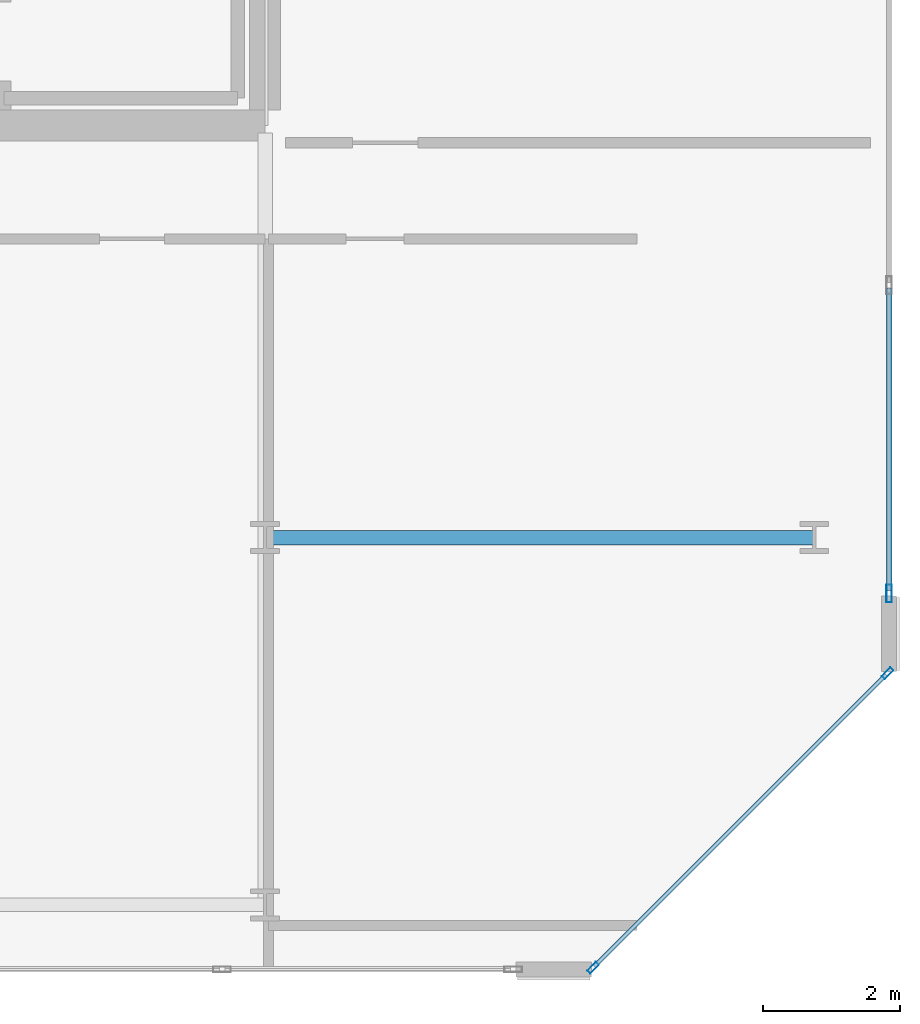
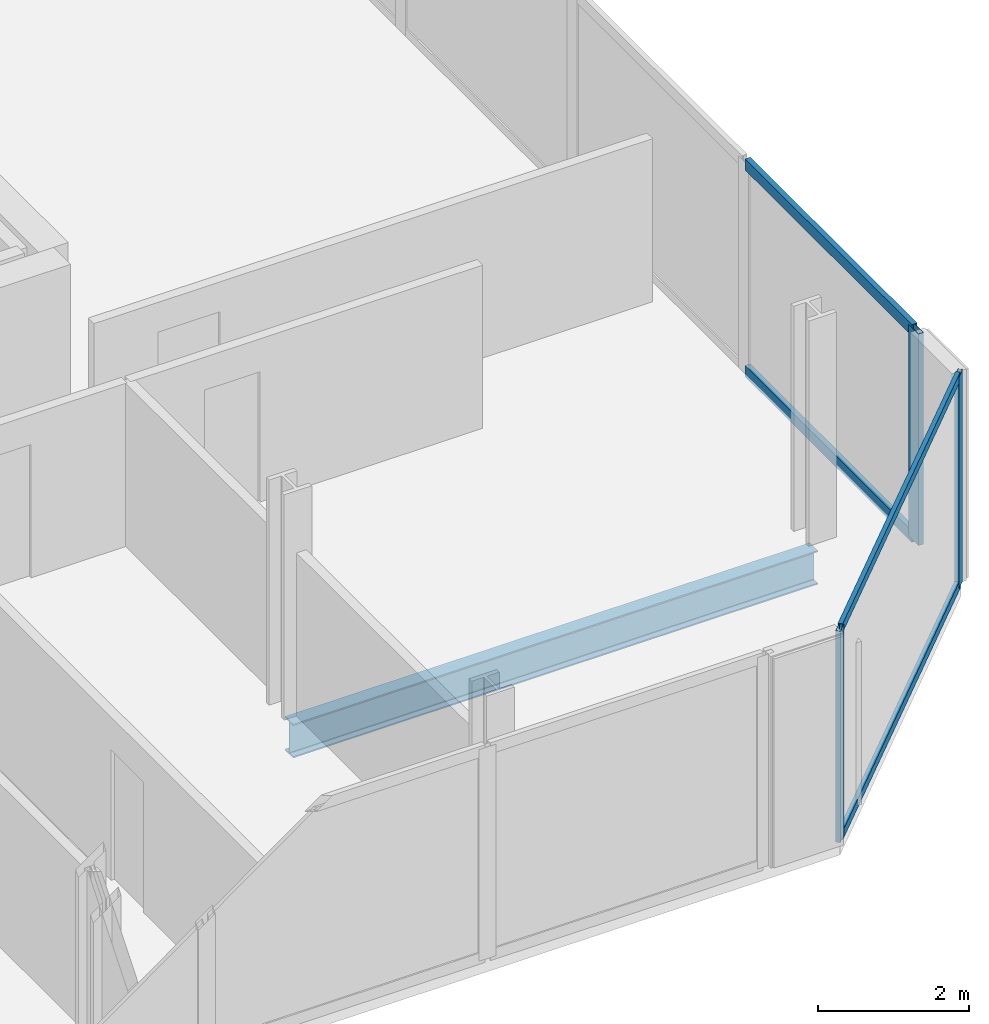
# One storey, part 7 of 17: 7 members, 1 beam, 2 elements without a shape of their own.
"""IFC4 building model written with IfcOpenShell, lengths in metres."""

from ifc_helpers import new_model, si_unit, direction, frame, origin, origin_2d, place, context, subcontext, project, spatial, hollow_rectangle, i_section, extrude, material, layer, layer_set, material_profile, profile_set, type_object, element, aggregate, save


model = new_model("IFC4")

# Units and contexts
model_context = context("Model", 3, precision=1e-05, world=origin(), true_north=direction((0.0, 1.0)))
body_context = subcontext(model_context, "Body", "Model", "MODEL_VIEW")
ifc_project = project(units=[si_unit("LENGTHUNIT", "METRE"), si_unit("AREAUNIT", "SQUARE_METRE"), si_unit("VOLUMEUNIT", "CUBIC_METRE"), si_unit("PLANEANGLEUNIT", "RADIAN"), si_unit("MASSUNIT", "GRAM", prefix="KILO")], contexts=[model_context])

# Site, building, storey
site_placement = place(None, origin())
site = spatial("IfcSite", under=ifc_project, at=site_placement, CompositionType="ELEMENT")
building_placement = place(site_placement, origin())
building = spatial("IfcBuilding", under=site, at=building_placement, Name="Tanjung Sevakor Pilgrim Tower", CompositionType="ELEMENT")
storey_placement = place(building_placement, frame((0.0, 0.0, 267.9599609375)))
storey = spatial("IfcBuildingStorey", under=building, at=storey_placement, Name="L75", CompositionType="ELEMENT", Elevation=267.9599609375)

# Beam
ifc_material_1 = material(Name="Steel S355J2", Category="steel")
ifc_material_profile_1 = material_profile(ifc_material_1, i_section(OverallWidth=0.2119140625, OverallDepth=0.54443359375, WebThickness=0.0126953125, FlangeThickness=0.021240234375, FilletRadius=0.0126953125, at=origin_2d()))
ifc_profile_set_1 = profile_set([ifc_material_profile_1], Name="Steel S355J2")
beam_type = type_object("IfcBeamType", Name="BM-B-G5-UB_533x210x122", PredefinedType="BEAM", material=ifc_profile_set_1)
beam_placement = place(storey_placement, frame((90.0, 18.60009765625, -0.4921875), z_axis=(1.0, 0.0, 0.0), x_axis=(0.0, 1.0, 0.0)))
element("IfcBeam", 1, at=beam_placement, inside=storey, type_object=beam_type, Name="L75 East Peak Wing Girder Y18.6", PredefinedType="BEAM", context=body_context, shape_type="SweptSolid", body=[
    extrude(i_section(OverallWidth=0.2119140625, OverallDepth=0.54443359375, WebThickness=0.0126953125, FlangeThickness=0.021240234375, FilletRadius=0.0126953125, at=origin_2d()), origin(), (0.0, 0.0, 1.0), 8.0),
])

# Curtain wall, members
ifc_material_2 = material(Name="Aluminium 6063-T6 and Low-E Glass", Category="aluminium")
ifc_layer_1 = layer(ifc_material_2, 0.179931640625)
ifc_layer_set_1 = layer_set([ifc_layer_1], Name="CW-SYS-CHAM")
curtain_wall_type_1 = type_object("IfcCurtainWallType", Name="CW-SYS-CHAM", PredefinedType="NOTDEFINED", material=ifc_layer_set_1)
curtain_wall_1_placement = place(storey_placement, origin())
curtain_wall_1 = element("IfcCurtainWall", 2, at=curtain_wall_1_placement, inside=storey, type_object=curtain_wall_type_1, Name="L75 Curtain Wall CW-CHM-L75-EAST-1", PredefinedType="NOTDEFINED")
ifc_material_3 = material(Name="Aluminium 6063-T6", Category="aluminium")
ifc_material_profile_2 = material_profile(ifc_material_3, hollow_rectangle(XDim=0.06494140625, YDim=0.179931640625, WallThickness=0.00390625, at=origin_2d()))
ifc_profile_set_2 = profile_set([ifc_material_profile_2], Name="Aluminium 6063-T6")
member_type_1 = type_object("IfcMemberType", Name="TYPE-CWM-1", PredefinedType="MULLION", material=ifc_profile_set_2)
member_1_placement = place(storey_placement, frame((94.77734375, 12.3330078125, 0.0), z_axis=(0.0, 0.0, 1.0), x_axis=(-0.707106781187, 0.707106781187, 0.0)))
member_1 = element("IfcMember", 3, at=member_1_placement, type_object=member_type_1, Name="CW-CHM mullion 1", PredefinedType="MULLION", context=body_context, shape_type="SweptSolid", body=[
    extrude(hollow_rectangle(XDim=0.06494140625, YDim=0.179931640625, WallThickness=0.00390625, at=origin_2d()), origin(), (0.0, 0.0, 1.0), 3.41015625),
])
member_2_placement = place(storey_placement, frame((99.067138671875, 16.62255859375, 0.0), z_axis=(0.0, 0.0, 1.0), x_axis=(-0.707106781187, 0.707106781187, 0.0)))
member_2 = element("IfcMember", 4, at=member_2_placement, type_object=member_type_1, Name="CW-CHM mullion 2", PredefinedType="MULLION", context=body_context, shape_type="SweptSolid", body=[
    extrude(hollow_rectangle(XDim=0.06494140625, YDim=0.179931640625, WallThickness=0.00390625, at=origin_2d()), origin(), (0.0, 0.0, 1.0), 3.41015625),
])

# Curtain wall, member
ifc_material_4 = material(Name="Aluminium 6063-T6 and Low-E Glass", Category="aluminium")
ifc_layer_2 = layer(ifc_material_4, 0.219970703125)
ifc_layer_set_2 = layer_set([ifc_layer_2], Name="CW-SYS-CRNE")
curtain_wall_type_2 = type_object("IfcCurtainWallType", Name="CW-SYS-CRNE", PredefinedType="NOTDEFINED", material=ifc_layer_set_2)
curtain_wall_2_placement = place(storey_placement, origin())
curtain_wall_2 = element("IfcCurtainWall", 5, at=curtain_wall_2_placement, inside=storey, type_object=curtain_wall_type_2, Name="L75 Curtain Wall CW-CRN-L75-EAST-2-1", PredefinedType="NOTDEFINED")
ifc_material_5 = material(Name="Aluminium 6063-T6", Category="aluminium")
ifc_material_profile_3 = material_profile(ifc_material_5, hollow_rectangle(XDim=0.080078125, YDim=0.260009765625, WallThickness=0.0048828125, at=origin_2d()))
ifc_profile_set_3 = profile_set([ifc_material_profile_3], Name="Aluminium 6063-T6")
member_type_2 = type_object("IfcMemberType", Name="TYPE-CWM-3", PredefinedType="MULLION", material=ifc_profile_set_3)
member_3_placement = place(storey_placement, frame((99.090087890625, 17.78564453125, 0.0), z_axis=(0.0, 0.0, 1.0), x_axis=(-1.0, 0.0, 0.0)))
member_3 = element("IfcMember", 6, at=member_3_placement, type_object=member_type_2, Name="CW-CRE mullion 1", PredefinedType="MULLION", context=body_context, shape_type="SweptSolid", body=[
    extrude(hollow_rectangle(XDim=0.080078125, YDim=0.260009765625, WallThickness=0.0048828125, at=origin_2d()), origin(), (0.0, 0.0, 1.0), 3.41015625),
])

# Member
ifc_material_6 = material(Name="Aluminium 6063-T6", Category="aluminium")
ifc_material_profile_4 = material_profile(ifc_material_6, hollow_rectangle(XDim=0.06494140625, YDim=0.139892578125, WallThickness=0.00390625, at=origin_2d()))
ifc_profile_set_4 = profile_set([ifc_material_profile_4], Name="Aluminium 6063-T6")
member_type_3 = type_object("IfcMemberType", Name="TYPE-CWT-1", PredefinedType="USERDEFINED", material=ifc_profile_set_4)
member_4_placement = place(storey_placement, frame((94.80029296875, 12.35595703125, 0.032470703125), z_axis=(0.707106781187, 0.707106781187, 0.0), x_axis=(-0.707106781187, 0.707106781187, 0.0)))
member_4 = element("IfcMember", 7, at=member_4_placement, type_object=member_type_3, Name="CW-CHM transom 1.1", ObjectType="TRANSOM", PredefinedType="USERDEFINED", context=body_context, shape_type="SweptSolid", body=[
    extrude(hollow_rectangle(XDim=0.06494140625, YDim=0.139892578125, WallThickness=0.00390625, at=origin_2d()), origin(), (0.0, 0.0, 1.0), 6.00146484375),
])

member_5_placement = place(storey_placement, frame((94.80029296875, 12.35595703125, 3.37744140625), z_axis=(0.707106781187, 0.707106781187, 0.0), x_axis=(-0.707106781187, 0.707106781187, 0.0)))
member_5 = element("IfcMember", 8, at=member_5_placement, type_object=member_type_3, Name="CW-CHM transom 1.2", ObjectType="TRANSOM", PredefinedType="USERDEFINED", context=body_context, shape_type="SweptSolid", body=[
    extrude(hollow_rectangle(XDim=0.06494140625, YDim=0.139892578125, WallThickness=0.00390625, at=origin_2d()), origin(), (0.0, 0.0, 1.0), 6.00146484375),
])

aggregate(curtain_wall_1, [member_1, member_2, member_4, member_5])

ifc_material_7 = material(Name="Aluminium 6063-T6", Category="aluminium")
ifc_material_profile_5 = material_profile(ifc_material_7, hollow_rectangle(XDim=0.080078125, YDim=0.179931640625, WallThickness=0.0048828125, at=origin_2d()))
ifc_profile_set_5 = profile_set([ifc_material_profile_5], Name="Aluminium 6063-T6")
member_type_4 = type_object("IfcMemberType", Name="TYPE-CWT-3", PredefinedType="USERDEFINED", material=ifc_profile_set_5)
member_6_placement = place(storey_placement, frame((99.090087890625, 17.82568359375, 0.0400390625), z_axis=(0.0, 1.0, 0.0), x_axis=(-1.0, 0.0, 0.0)))
member_6 = element("IfcMember", 9, at=member_6_placement, type_object=member_type_4, Name="CW-CRE transom 1.1", ObjectType="TRANSOM", PredefinedType="USERDEFINED", context=body_context, shape_type="SweptSolid", body=[
    extrude(hollow_rectangle(XDim=0.080078125, YDim=0.179931640625, WallThickness=0.0048828125, at=origin_2d()), origin(), (0.0, 0.0, 1.0), 4.40966796875),
])

member_7_placement = place(storey_placement, frame((99.090087890625, 17.82568359375, 3.3701171875), z_axis=(0.0, 1.0, 0.0), x_axis=(-1.0, 0.0, 0.0)))
member_7 = element("IfcMember", 10, at=member_7_placement, type_object=member_type_4, Name="CW-CRE transom 1.2", ObjectType="TRANSOM", PredefinedType="USERDEFINED", context=body_context, shape_type="SweptSolid", body=[
    extrude(hollow_rectangle(XDim=0.080078125, YDim=0.179931640625, WallThickness=0.0048828125, at=origin_2d()), origin(), (0.0, 0.0, 1.0), 4.40966796875),
])

aggregate(curtain_wall_2, [member_3, member_6, member_7])

save(model, "model.ifc")
